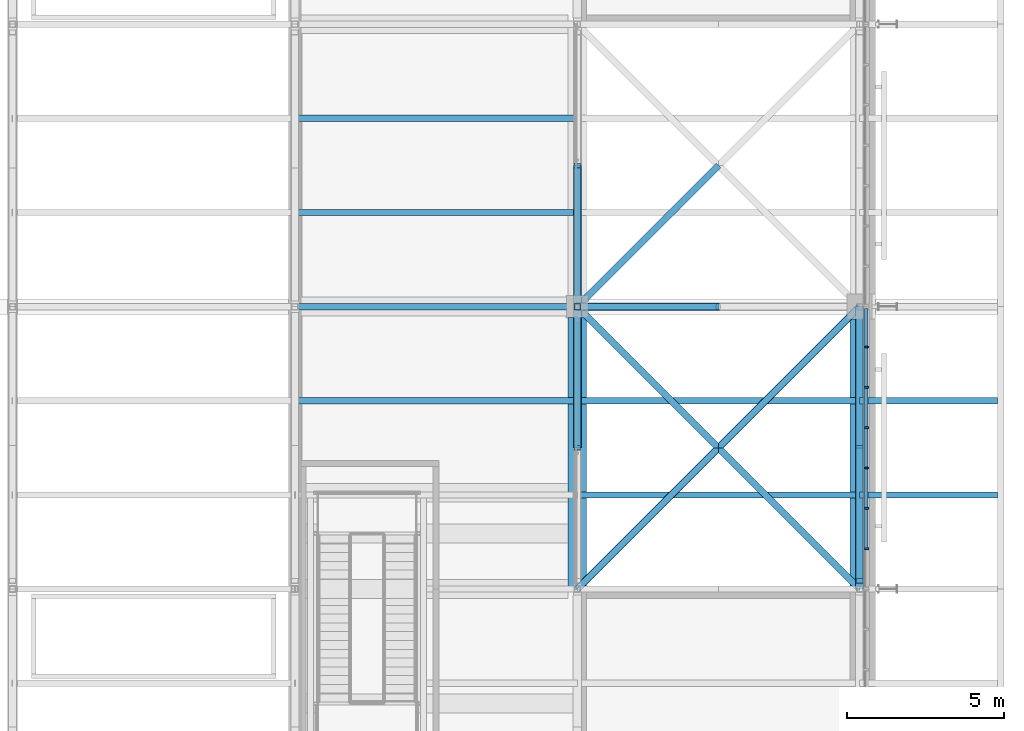
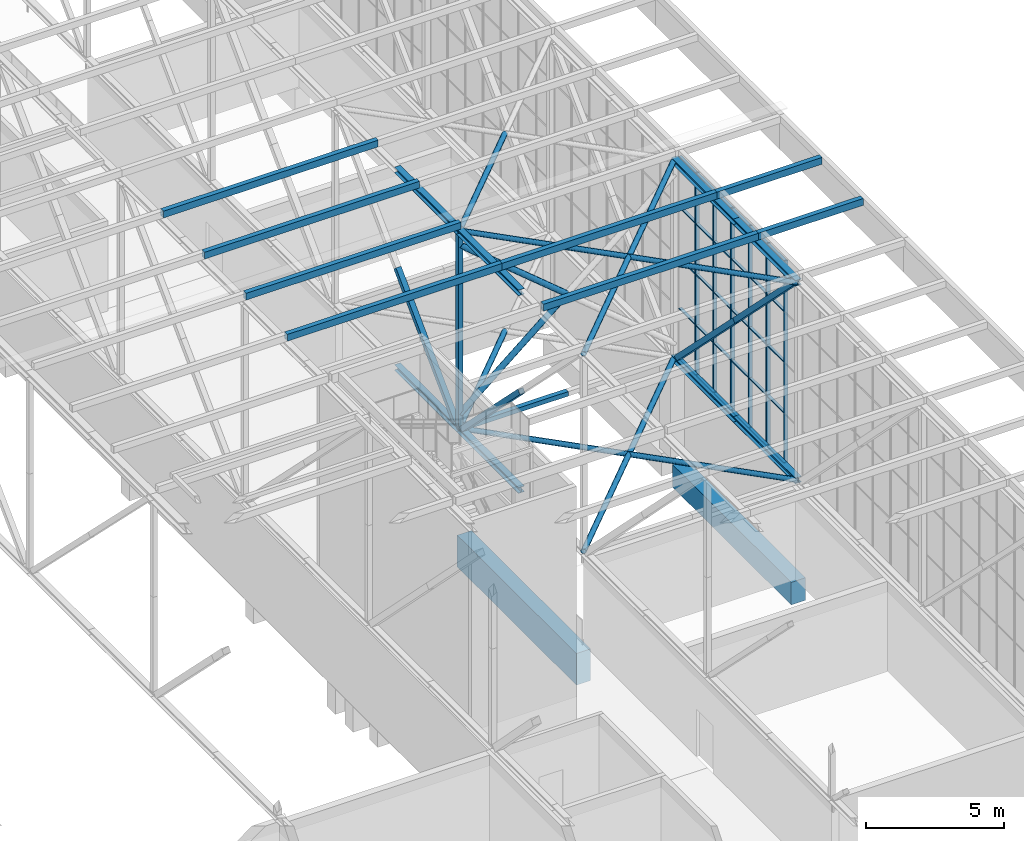
# One storey, part 99 of 646: 71 members, 2 beams, 1 element without a shape of its own.
"""IFC4 building model written with IfcOpenShell, lengths in metres."""

import ifcopenshell
import ifcopenshell.guid

model = None  # the IFC model being written
_history = None  # IfcOwnerHistory: only IFC2X3 demands one
_inside = {}  # id of a spatial element -> (the spatial element, [elements in it])
_under = {}  # id of a project, library or spatial element -> (it, [spatial elements below it])
_declared = {}  # id of a project -> (the project, [libraries it declares])
_typed = {}  # id of a type object -> (the type object, [elements of that type])
_made_of = {}  # id of a material, layer set ... -> (it, [elements and type objects made of it])


def new_model(schema):
    """Start an empty IFC model of exactly this schema.

    Asked for "IFC4X3", IfcOpenShell would pick the latest addendum, in which some entities
    have other attributes; the version numbers below select the first issue.
    IFC2X3 requires an IfcOwnerHistory on every rooted entity: one is made here for all.
    """
    global model, _history
    if schema == "IFC4X3":
        model = ifcopenshell.file(schema_version=(4, 3, 0, 0))
    else:
        model = ifcopenshell.file(schema=schema)
    _inside.clear()
    _under.clear()
    _declared.clear()
    _typed.clear()
    _made_of.clear()
    _history = None
    if model.schema == "IFC2X3":
        org = make("IfcOrganization", Name="unknown")
        user = make(
            "IfcPersonAndOrganization",
            ThePerson=make("IfcPerson", FamilyName="unknown"),
            TheOrganization=org,
        )
        app = make(
            "IfcApplication",
            ApplicationDeveloper=org,
            Version="unknown",
            ApplicationFullName="unknown",
            ApplicationIdentifier="unknown",
        )
        _history = make(
            "IfcOwnerHistory",
            OwningUser=user,
            OwningApplication=app,
            ChangeAction="ADDED",
            CreationDate=0,
        )
    return model


def make(cls, **values):
    """One entity of the class cls with the attributes given. An attribute that is None is left unset."""
    return model.create_entity(
        cls, **{name: value for name, value in values.items() if value is not None}
    )


def rooted(cls, **values):
    """An entity with a GlobalId (a new one), such as an element, a storey or a relation."""
    return make(cls, GlobalId=ifcopenshell.guid.new(), OwnerHistory=_history, **values)


def si_unit(unit_type, name, prefix=None):
    """IfcSIUnit, for example si_unit("LENGTHUNIT", "METRE", prefix="MILLI")."""
    return make("IfcSIUnit", UnitType=unit_type, Prefix=prefix, Name=name)


def assignment(units):
    """IfcUnitAssignment: the units of a project."""
    return None if units is None else make("IfcUnitAssignment", Units=units)


def point(xyz):
    """IfcCartesianPoint."""
    return None if xyz is None else make("IfcCartesianPoint", Coordinates=xyz)


def direction(xyz):
    """IfcDirection."""
    return None if xyz is None else make("IfcDirection", DirectionRatios=xyz)


def frame(location, z_axis=None, x_axis=None):
    """IfcAxis2Placement3D, a coordinate frame: its origin and axes. An axis left out is left unset."""
    return make(
        "IfcAxis2Placement3D",
        Location=point(location),
        Axis=direction(z_axis),
        RefDirection=direction(x_axis),
    )


def frame_2d(location, x_axis=None):
    """IfcAxis2Placement2D, a coordinate frame in the plane: its origin and x axis."""
    return make(
        "IfcAxis2Placement2D", Location=point(location), RefDirection=direction(x_axis)
    )


def origin():
    """The frame at (0, 0, 0) with its axes left unset."""
    return frame((0.0, 0.0, 0.0))


def origin_2d():
    """The frame at (0, 0) in the plane with its x axis left unset."""
    return frame_2d((0.0, 0.0))


def place(relative_to, where):
    """IfcLocalPlacement: puts the frame where relative to a parent placement (None: the world)."""
    return make(
        "IfcLocalPlacement", PlacementRelTo=relative_to, RelativePlacement=where
    )


def context(
    kind, dimensions, precision=None, world=None, true_north=None, identifier=None
):
    """IfcGeometricRepresentationContext, for example the 3D "Model" context."""
    return make(
        "IfcGeometricRepresentationContext",
        ContextIdentifier=identifier,
        ContextType=kind,
        CoordinateSpaceDimension=dimensions,
        Precision=precision,
        WorldCoordinateSystem=world,
        TrueNorth=true_north,
    )


def subcontext(parent, identifier, kind, view, scale=None):
    """IfcGeometricRepresentationSubContext, for example "Body" below "Model"."""
    return make(
        "IfcGeometricRepresentationSubContext",
        ContextIdentifier=identifier,
        ContextType=kind,
        ParentContext=parent,
        TargetScale=scale,
        TargetView=view,
    )


def project(units=None, contexts=None):
    """IfcProject with its units and contexts."""
    return rooted(
        "IfcProject",
        Name="project",
        RepresentationContexts=contexts,
        UnitsInContext=assignment(units),
    )


def spatial(cls, under=None, at=None, **own):
    """A site, building, storey or space (cls), placed at a placement, below another one or the project."""
    s = rooted(cls, ObjectPlacement=at, **own)
    if under is not None:
        _under.setdefault(under.id(), (under, []))[1].append(s)
    return s


def profile(cls, at=None, kind="AREA", **sizes):
    """A parametric profile (cls). Its sizes go by their IFC names, for example OverallWidth=200.0."""
    return make(cls, ProfileType=kind, Position=at, **sizes)


def rectangle(**sizes):
    """IfcRectangleProfileDef."""
    return profile("IfcRectangleProfileDef", **sizes)


def hollow_rectangle(**sizes):
    """IfcRectangleHollowProfileDef."""
    return profile("IfcRectangleHollowProfileDef", **sizes)


def hollow_circle(**sizes):
    """IfcCircleHollowProfileDef."""
    return profile("IfcCircleHollowProfileDef", **sizes)


def i_section(**sizes):
    """IfcIShapeProfileDef."""
    return profile("IfcIShapeProfileDef", **sizes)


def extrude(swept, where, along, depth):
    """IfcExtrudedAreaSolid: the profile swept, set in the frame where, extruded along a direction by depth."""
    return make(
        "IfcExtrudedAreaSolid",
        SweptArea=swept,
        Position=where,
        ExtrudedDirection=direction(along),
        Depth=depth,
    )


def shape(context_of_items, identifier, shape_type, items):
    """IfcShapeRepresentation: the items that make up one representation, for example the "Body"."""
    return make(
        "IfcShapeRepresentation",
        ContextOfItems=context_of_items,
        RepresentationIdentifier=identifier,
        RepresentationType=shape_type,
        Items=items,
    )


def material(Name=None, Category=None):
    """IfcMaterial."""
    return make("IfcMaterial", Name=Name, Category=Category)


def material_profile(
    of_material, cross_section, Name=None, Category=None, Priority=None
):
    """IfcMaterialProfile: a cross section and its material."""
    return make(
        "IfcMaterialProfile",
        Name=Name,
        Material=of_material,
        Profile=cross_section,
        Priority=Priority,
        Category=Category,
    )


def profile_set(profiles, Name=None, composite=None):
    """IfcMaterialProfileSet."""
    return make(
        "IfcMaterialProfileSet",
        Name=Name,
        MaterialProfiles=profiles,
        CompositeProfile=composite,
    )


def made_of(thing, what):
    """Note that an element or type object is made of a material, layer set ...; save() writes the relation."""
    if what is not None:
        _made_of.setdefault(what.id(), (what, []))[1].append(thing)
    return thing


def type_object(cls, material=None, **own):
    """A type object (cls), such as IfcWallType, which elements share."""
    return made_of(rooted(cls, **own), material)


def element(
    cls,
    number,
    at=None,
    inside=None,
    cuts=None,
    type_object=None,
    material=None,
    context=None,
    identifier="Body",
    shape_type=None,
    held_by="IfcProductDefinitionShape",
    body=None,
    shapes=None,
    **own,
):
    """One element of the class cls, such as IfcWall. Its Tag is "e" and its number.

    at: its placement. inside: the storey or other place that contains it. cuts: it is an
    opening in that element (IfcRelVoidsElement). A single representation is given by context,
    identifier, shape_type and body (its items); several are given by shapes. held_by: the class
    of the entity that holds the representations. save() writes the other relations.
    """
    e = rooted(cls, Tag="e%d" % number, ObjectPlacement=at, **own)
    if body is not None:
        shapes = [shape(context, identifier, shape_type, body)]
    if shapes is not None:
        e.Representation = make(held_by, Representations=shapes)
    if inside is not None:
        _inside.setdefault(inside.id(), (inside, []))[1].append(e)
    if cuts is not None:
        rooted(
            "IfcRelVoidsElement", RelatingBuildingElement=cuts, RelatedOpeningElement=e
        )
    if type_object is not None:
        _typed.setdefault(type_object.id(), (type_object, []))[1].append(e)
    return made_of(e, material)


def aggregate(whole, parts):
    """IfcRelAggregates: a whole, such as a stair, and the parts it consists of."""
    return rooted("IfcRelAggregates", RelatingObject=whole, RelatedObjects=parts)


def save(model, path):
    """Write the relations noted so far, then the file.

    IfcRelAggregates (storeys below a building ...), IfcRelContainedInSpatialStructure (elements
    in a storey), IfcRelDefinesByType, IfcRelAssociatesMaterial and IfcRelDeclares: one each for
    every whole, place, type object, material and project.
    """
    for whole, parts in _under.values():
        aggregate(whole, parts)
    for where, things in _inside.values():
        rooted(
            "IfcRelContainedInSpatialStructure",
            RelatedElements=things,
            RelatingStructure=where,
        )
    for kind, things in _typed.values():
        rooted("IfcRelDefinesByType", RelatedObjects=things, RelatingType=kind)
    for what, things in _made_of.values():
        rooted("IfcRelAssociatesMaterial", RelatedObjects=things, RelatingMaterial=what)
    for by, libraries in _declared.values():
        rooted("IfcRelDeclares", RelatingContext=by, RelatedDefinitions=libraries)
    model.write(path)


model = new_model("IFC4")

# Units and contexts
model_context = context("Model", 3, precision=1e-05, world=origin(), true_north=direction((0.0, 1.0)))
body_context = subcontext(model_context, "Body", "Model", "MODEL_VIEW")
ifc_project = project(units=[si_unit("LENGTHUNIT", "METRE"), si_unit("AREAUNIT", "SQUARE_METRE"), si_unit("VOLUMEUNIT", "CUBIC_METRE"), si_unit("PLANEANGLEUNIT", "RADIAN"), si_unit("MASSUNIT", "GRAM", prefix="KILO")], contexts=[model_context])

# Site, building, storey
site_placement = place(None, origin())
site = spatial("IfcSite", under=ifc_project, at=site_placement, CompositionType="ELEMENT")
building_placement = place(site_placement, origin())
building = spatial("IfcBuilding", under=site, at=building_placement, Name="Silverbay Arena", CompositionType="ELEMENT")
storey_placement = place(building_placement, frame((0.0, 0.0, 33.5)))
storey = spatial("IfcBuildingStorey", under=building, at=storey_placement, Name="L05", CompositionType="ELEMENT", Elevation=33.5)

# Member
ifc_material_1 = material(Name="Steel S355", Category="steel")
ifc_material_profile_1 = material_profile(ifc_material_1, hollow_rectangle(XDim=0.199951171875, YDim=0.199951171875, WallThickness=0.008056640625, at=origin_2d()), Name="SHS 200x200x8")
ifc_profile_set_1 = profile_set([ifc_material_profile_1], Name="Steel S355")
member_type_1 = type_object("IfcMemberType", Name="Bracing strut SHS 200x200x8", PredefinedType="STRUT", material=ifc_profile_set_1)
member_1_placement = place(storey_placement, frame((198.0, 81.0, 4.126953125), z_axis=(1.0, 0.0, 0.0), x_axis=(0.0, 1.0, 0.0)))
element("IfcMember", 1, at=member_1_placement, inside=storey, type_object=member_type_1, Name="ROOF BRACING strut 23-24 line 09a", PredefinedType="STRUT", context=body_context, shape_type="SweptSolid", body=[
    extrude(hollow_rectangle(XDim=0.199951171875, YDim=0.199951171875, WallThickness=0.008056640625, at=origin_2d()), origin(), (0.0, 0.0, 1.0), 4.5),
])

# Curtain wall, members
ifc_material_2 = material(Name="Aluminium framed glazing", Category="aluminium")
curtain_wall_type = type_object("IfcCurtainWallType", Name="Curtain wall clerestory 9000 x 9000", PredefinedType="NOTDEFINED", material=ifc_material_2)
curtain_wall_placement = place(storey_placement, origin())
curtain_wall = element("IfcCurtainWall", 2, at=curtain_wall_placement, inside=storey, type_object=curtain_wall_type, Name="ROOF GABLE CLERESTORY CURTAIN WALL east bay 08", PredefinedType="NOTDEFINED")
ifc_material_3 = material(Name="Aluminium", Category="aluminium")
ifc_material_profile_2 = material_profile(ifc_material_3, rectangle(XDim=0.159912109375, YDim=0.06005859375, at=origin_2d()), Name="Mullion 60 x 160")
ifc_profile_set_2 = profile_set([ifc_material_profile_2], Name="Aluminium")
member_type_2 = type_object("IfcMemberType", Name="Mullion 60 x 160", PredefinedType="MULLION", material=ifc_profile_set_2)
member_2_placement = place(storey_placement, frame((207.2099609375, 73.28564453125, 4.0), z_axis=(0.0, 0.0, 1.0), x_axis=(-1.0, 0.0, 0.0)))
member_2 = element("IfcMember", 3, at=member_2_placement, type_object=member_type_2, Name="CW60 mullion 2", PredefinedType="MULLION", context=body_context, shape_type="SweptSolid", body=[
    extrude(rectangle(XDim=0.159912109375, YDim=0.06005859375, at=origin_2d()), origin(), (0.0, 0.0, 1.0), 9.0),
])
member_3_placement = place(storey_placement, frame((207.2099609375, 74.571533203125, 4.0), z_axis=(0.0, 0.0, 1.0), x_axis=(-1.0, 0.0, 0.0)))
member_3 = element("IfcMember", 4, at=member_3_placement, type_object=member_type_2, Name="CW60 mullion 3", PredefinedType="MULLION", context=body_context, shape_type="SweptSolid", body=[
    extrude(rectangle(XDim=0.159912109375, YDim=0.06005859375, at=origin_2d()), origin(), (0.0, 0.0, 1.0), 9.0),
])
member_4_placement = place(storey_placement, frame((207.2099609375, 75.857177734375, 4.0), z_axis=(0.0, 0.0, 1.0), x_axis=(-1.0, 0.0, 0.0)))
member_4 = element("IfcMember", 5, at=member_4_placement, type_object=member_type_2, Name="CW60 mullion 4", PredefinedType="MULLION", context=body_context, shape_type="SweptSolid", body=[
    extrude(rectangle(XDim=0.159912109375, YDim=0.06005859375, at=origin_2d()), origin(), (0.0, 0.0, 1.0), 9.0),
])
member_5_placement = place(storey_placement, frame((207.2099609375, 77.142822265625, 4.0), z_axis=(0.0, 0.0, 1.0), x_axis=(-1.0, 0.0, 0.0)))
member_5 = element("IfcMember", 6, at=member_5_placement, type_object=member_type_2, Name="CW60 mullion 5", PredefinedType="MULLION", context=body_context, shape_type="SweptSolid", body=[
    extrude(rectangle(XDim=0.159912109375, YDim=0.06005859375, at=origin_2d()), origin(), (0.0, 0.0, 1.0), 9.0),
])
member_6_placement = place(storey_placement, frame((207.2099609375, 78.428466796875, 4.0), z_axis=(0.0, 0.0, 1.0), x_axis=(-1.0, 0.0, 0.0)))
member_6 = element("IfcMember", 7, at=member_6_placement, type_object=member_type_2, Name="CW60 mullion 6", PredefinedType="MULLION", context=body_context, shape_type="SweptSolid", body=[
    extrude(rectangle(XDim=0.159912109375, YDim=0.06005859375, at=origin_2d()), origin(), (0.0, 0.0, 1.0), 9.0),
])
member_7_placement = place(storey_placement, frame((207.2099609375, 79.71435546875, 4.0), z_axis=(0.0, 0.0, 1.0), x_axis=(-1.0, 0.0, 0.0)))
member_7 = element("IfcMember", 8, at=member_7_placement, type_object=member_type_2, Name="CW60 mullion 7", PredefinedType="MULLION", context=body_context, shape_type="SweptSolid", body=[
    extrude(rectangle(XDim=0.159912109375, YDim=0.06005859375, at=origin_2d()), origin(), (0.0, 0.0, 1.0), 9.0),
])

# Members
ifc_material_4 = material(Name="Steel S355", Category="steel")
ifc_material_profile_3 = material_profile(ifc_material_4, hollow_circle(Radius=0.109619140625, WallThickness=0.00634765625, at=origin_2d()), Name="CHS 219.1x6.3")
ifc_profile_set_3 = profile_set([ifc_material_profile_3], Name="Steel S355")
member_type_3 = type_object("IfcMemberType", Name="Plan bracing CHS 219.1x6.3", PredefinedType="BRACE", material=ifc_profile_set_3)
for number, where, z_axis, x_axis, name in (
    (9, (198.0, 72.0, 12.873046875), (0.707106781187, 0.707106781187, 0.0), (-0.707106781187, 0.707106781187, 0.0), "ROOF BRACING top 23-24 panel 08 Aa"),
    (10, (202.5, 76.5, 12.873046875), (0.707106781187, 0.707106781187, 0.0), (-0.707106781187, 0.707106781187, 0.0), "ROOF BRACING top 23-24 panel 08 Ab"),
    (11, (198.0, 81.0, 12.873046875), (0.707106781187, -0.707106781187, 0.0), (0.707106781187, 0.707106781187, 0.0), "ROOF BRACING top 23-24 panel 08 Ba"),
    (12, (202.5, 76.5, 12.873046875), (0.707106781187, -0.707106781187, 0.0), (0.707106781187, 0.707106781187, 0.0), "ROOF BRACING top 23-24 panel 08 Bb"),
    (13, (198.0, 81.0, 12.873046875), (0.707106781187, 0.707106781187, 0.0), (-0.707106781187, 0.707106781187, 0.0), "ROOF BRACING top 23-24 panel 09 Aa"),
    (14, (198.0, 72.0, 4.126953125), (0.707106781187, 0.707106781187, 0.0), (-0.707106781187, 0.707106781187, 0.0), "ROOF BRACING bottom 23-24 panel 08 Aa"),
    (15, (202.5, 76.5, 4.126953125), (0.707106781187, 0.707106781187, 0.0), (-0.707106781187, 0.707106781187, 0.0), "ROOF BRACING bottom 23-24 panel 08 Ab"),
    (16, (198.0, 81.0, 4.126953125), (0.707106781187, -0.707106781187, 0.0), (0.707106781187, 0.707106781187, 0.0), "ROOF BRACING bottom 23-24 panel 08 Ba"),
    (17, (202.5, 76.5, 4.126953125), (0.707106781187, -0.707106781187, 0.0), (0.707106781187, 0.707106781187, 0.0), "ROOF BRACING bottom 23-24 panel 08 Bb"),
    (18, (198.0, 81.0, 4.126953125), (0.707106781187, 0.707106781187, 0.0), (-0.707106781187, 0.707106781187, 0.0), "ROOF BRACING bottom 23-24 panel 09 Aa"),
):
    element("IfcMember", number, at=place(storey_placement, frame(where, z_axis=z_axis, x_axis=x_axis)), inside=storey, type_object=member_type_3, Name=name, PredefinedType="BRACE", context=body_context, shape_type="SweptSolid", body=[
        extrude(hollow_circle(Radius=0.109619140625, WallThickness=0.00634765625, at=origin_2d()), origin(), (0.0, 0.0, 1.0), 6.364013671875),
    ])
ifc_material_5 = material(Name="Steel S355", Category="steel")
ifc_material_profile_4 = material_profile(ifc_material_5, hollow_rectangle(XDim=0.199951171875, YDim=0.300048828125, WallThickness=0.00634765625, at=origin_2d()), Name="RHS 300x200x6.3")
ifc_profile_set_4 = profile_set([ifc_material_profile_4], Name="Steel S355")
member_type_4 = type_object("IfcMemberType", Name="Purlin RHS 300x200x6.3", PredefinedType="PURLIN", material=ifc_profile_set_4)
for number, where, z_axis, x_axis, name in (
    (19, (189.0, 78.0, 13.14990234375), (1.0, 0.0, 0.0), (0.0, 1.0, 0.0), "ROOF PURLIN 22-23 line 24"),
    (20, (189.0, 81.0, 13.14990234375), (1.0, 0.0, 0.0), (0.0, 1.0, 0.0), "ROOF PURLIN 22-23 line 25"),
    (21, (189.0, 84.0, 13.14990234375), (1.0, 0.0, 0.0), (0.0, 1.0, 0.0), "ROOF PURLIN 22-23 line 26"),
    (22, (189.0, 87.0, 13.14990234375), (1.0, 0.0, 0.0), (0.0, 1.0, 0.0), "ROOF PURLIN 22-23 line 27"),
):
    element("IfcMember", number, at=place(storey_placement, frame(where, z_axis=z_axis, x_axis=x_axis)), inside=storey, type_object=member_type_4, Name=name, PredefinedType="PURLIN", context=body_context, shape_type="SweptSolid", body=[
        extrude(hollow_rectangle(XDim=0.199951171875, YDim=0.300048828125, WallThickness=0.00634765625, at=origin_2d()), origin(), (0.0, 0.0, 1.0), 9.0),
    ])
ifc_material_6 = material(Name="Steel S355", Category="steel")
ifc_material_profile_5 = material_profile(ifc_material_6, hollow_rectangle(XDim=0.199951171875, YDim=0.300048828125, WallThickness=0.008056640625, at=origin_2d()), Name="RHS 300x200x8")
ifc_profile_set_5 = profile_set([ifc_material_profile_5], Name="Steel S355")
member_type_5 = type_object("IfcMemberType", Name="Purlin RHS 300x200x8", PredefinedType="PURLIN", material=ifc_profile_set_5)
for number, where, z_axis, x_axis, name in (
    (23, (198.0, 75.0, 13.14990234375), (1.0, 0.0, 0.0), (0.0, 1.0, 0.0), "ROOF PURLIN 23-24 line 23"),
    (24, (198.0, 78.0, 13.14990234375), (1.0, 0.0, 0.0), (0.0, 1.0, 0.0), "ROOF PURLIN 23-24 line 24"),
):
    element("IfcMember", number, at=place(storey_placement, frame(where, z_axis=z_axis, x_axis=x_axis)), inside=storey, type_object=member_type_5, Name=name, PredefinedType="PURLIN", context=body_context, shape_type="SweptSolid", body=[
        extrude(hollow_rectangle(XDim=0.199951171875, YDim=0.300048828125, WallThickness=0.008056640625, at=origin_2d()), origin(), (0.0, 0.0, 1.0), 9.0),
    ])
for number, where, z_axis, x_axis, name in (
    (25, (211.39990234375, 75.0, 13.14990234375), (-1.0, 0.0, 0.0), (0.0, -1.0, 0.0), "ROOF PURLIN east eave line 23"),
    (26, (211.39990234375, 78.0, 13.14990234375), (-1.0, 0.0, 0.0), (0.0, -1.0, 0.0), "ROOF PURLIN east eave line 24"),
):
    element("IfcMember", number, at=place(storey_placement, frame(where, z_axis=z_axis, x_axis=x_axis)), inside=storey, type_object=member_type_5, Name=name, PredefinedType="PURLIN", context=body_context, shape_type="SweptSolid", body=[
        extrude(hollow_rectangle(XDim=0.199951171875, YDim=0.300048828125, WallThickness=0.008056640625, at=origin_2d()), origin(), (0.0, 0.0, 1.0), 4.39990234375),
    ])

# Beams
ifc_material_7 = material(Name="Concrete Grade C45", Category="concrete")
ifc_material_profile_6 = material_profile(ifc_material_7, rectangle(XDim=0.60009765625, YDim=1.0, at=origin_2d()), Name="RC 600x1000")
ifc_profile_set_6 = profile_set([ifc_material_profile_6], Name="Concrete Grade C45")
beam_type_1 = type_object("IfcBeamType", Name="RC beam 600x1000", PredefinedType="BEAM", material=ifc_profile_set_6)
beam_1_placement = place(storey_placement, frame((207.0, 72.0, -0.800048828125), z_axis=(0.0, 1.0, 0.0), x_axis=(-1.0, 0.0, 0.0)))
element("IfcBeam", 27, at=beam_1_placement, inside=storey, type_object=beam_type_1, Name="Floor beam L05 150", PredefinedType="BEAM", context=body_context, shape_type="SweptSolid", body=[
    extrude(rectangle(XDim=0.60009765625, YDim=1.0, at=origin_2d()), origin(), (0.0, 0.0, 1.0), 8.60009765625),
])
ifc_material_8 = material(Name="Concrete Grade C45", Category="concrete")
ifc_material_profile_7 = material_profile(ifc_material_8, rectangle(XDim=0.60009765625, YDim=1.39990234375, at=origin_2d()), Name="RC 600x1400")
ifc_profile_set_7 = profile_set([ifc_material_profile_7], Name="Concrete Grade C45")
beam_type_2 = type_object("IfcBeamType", Name="RC beam 600x1400", PredefinedType="BEAM", material=ifc_profile_set_7)
beam_2_placement = place(storey_placement, frame((198.0, 72.0, -1.0), z_axis=(0.0, 1.0, 0.0), x_axis=(-1.0, 0.0, 0.0)))
element("IfcBeam", 28, at=beam_2_placement, inside=storey, type_object=beam_type_2, Name="Floor beam L05 142", PredefinedType="BEAM", context=body_context, shape_type="SweptSolid", body=[
    extrude(rectangle(XDim=0.60009765625, YDim=1.39990234375, at=origin_2d()), origin(), (0.0, 0.0, 1.0), 8.64990234375),
])

# Members
ifc_material_9 = material(Name="Steel S355", Category="steel")
ifc_material_profile_8 = material_profile(ifc_material_9, i_section(OverallWidth=0.254638671875, OverallDepth=0.254150390625, WebThickness=0.008544921875, FlangeThickness=0.01416015625, at=origin_2d()), Name="UC 254x254x73")
ifc_profile_set_8 = profile_set([ifc_material_profile_8], Name="Steel S355")
member_type_6 = type_object("IfcMemberType", Name="Short-span bottom chord UC 254x254x73", PredefinedType="CHORD", material=ifc_profile_set_8)
for number, where, z_axis, x_axis, name in (
    (29, (198.0, 76.5, 4.126953125), (0.0, 1.0, 0.0), (-1.0, 0.0, 0.0), "ROOF TRUSS 23 bottom chord 08b"),
    (30, (198.0, 81.0, 4.126953125), (0.0, 1.0, 0.0), (-1.0, 0.0, 0.0), "ROOF TRUSS 23 bottom chord 09a"),
    (31, (207.0, 72.0, 4.126953125), (0.0, 1.0, 0.0), (-1.0, 0.0, 0.0), "ROOF TRUSS 24 bottom chord 08a"),
    (32, (207.0, 76.5, 4.126953125), (0.0, 1.0, 0.0), (-1.0, 0.0, 0.0), "ROOF TRUSS 24 bottom chord 08b"),
):
    element("IfcMember", number, at=place(storey_placement, frame(where, z_axis=z_axis, x_axis=x_axis)), inside=storey, type_object=member_type_6, Name=name, PredefinedType="CHORD", context=body_context, shape_type="SweptSolid", body=[
        extrude(i_section(OverallWidth=0.254638671875, OverallDepth=0.254150390625, WebThickness=0.008544921875, FlangeThickness=0.01416015625, at=origin_2d()), origin(), (0.0, 0.0, 1.0), 4.5),
    ])
ifc_material_10 = material(Name="Steel S355", Category="steel")
ifc_material_profile_9 = material_profile(ifc_material_10, i_section(OverallWidth=0.254638671875, OverallDepth=0.254150390625, WebThickness=0.008544921875, FlangeThickness=0.01416015625, at=origin_2d()), Name="UC 254x254x73")
ifc_profile_set_9 = profile_set([ifc_material_profile_9], Name="Steel S355")
member_type_7 = type_object("IfcMemberType", Name="Short-span top chord UC 254x254x73", PredefinedType="CHORD", material=ifc_profile_set_9)
for number, where, z_axis, x_axis, name in (
    (33, (198.0, 76.5, 12.873046875), (0.0, 1.0, 0.0), (-1.0, 0.0, 0.0), "ROOF TRUSS 23 top chord 08b"),
    (34, (198.0, 81.0, 12.873046875), (0.0, 1.0, 0.0), (-1.0, 0.0, 0.0), "ROOF TRUSS 23 top chord 09a"),
    (35, (207.0, 72.0, 12.873046875), (0.0, 1.0, 0.0), (-1.0, 0.0, 0.0), "ROOF TRUSS 24 top chord 08a"),
    (36, (207.0, 76.5, 12.873046875), (0.0, 1.0, 0.0), (-1.0, 0.0, 0.0), "ROOF TRUSS 24 top chord 08b"),
):
    element("IfcMember", number, at=place(storey_placement, frame(where, z_axis=z_axis, x_axis=x_axis)), inside=storey, type_object=member_type_7, Name=name, PredefinedType="CHORD", context=body_context, shape_type="SweptSolid", body=[
        extrude(i_section(OverallWidth=0.254638671875, OverallDepth=0.254150390625, WebThickness=0.008544921875, FlangeThickness=0.01416015625, at=origin_2d()), origin(), (0.0, 0.0, 1.0), 4.5),
    ])
ifc_material_11 = material(Name="Steel S355", Category="steel")
ifc_material_profile_10 = material_profile(ifc_material_11, hollow_rectangle(XDim=0.219970703125, YDim=0.219970703125, WallThickness=0.008056640625, at=origin_2d()), Name="SHS 220x220x8")
ifc_profile_set_10 = profile_set([ifc_material_profile_10], Name="Steel S355")
member_type_8 = type_object("IfcMemberType", Name="Short-span truss diagonal SHS 220x220x8", PredefinedType="BRACE", material=ifc_profile_set_10)
for number, where, z_axis, x_axis, name in (
    (37, (198.0, 76.5, 8.5), (0.0, 0.706597990941, -0.707615205601), (-1.0, 0.0, 0.0), "ROOF TRUSS 23 diagonal 08b"),
    (38, (198.0, 85.5, 8.5), (0.0, -0.706597990941, -0.707615205601), (1.0, 0.0, 0.0), "ROOF TRUSS 23 diagonal 09b"),
    (39, (207.0, 72.26025390625, 12.745849609375), (0.0, 0.706597990941, -0.707615205601), (-1.0, 0.0, 0.0), "ROOF TRUSS 24 diagonal 08a"),
    (40, (207.0, 76.5, 8.5), (0.0, 0.706597990941, -0.707615205601), (-1.0, 0.0, 0.0), "ROOF TRUSS 24 diagonal 08b"),
):
    element("IfcMember", number, at=place(storey_placement, frame(where, z_axis=z_axis, x_axis=x_axis)), inside=storey, type_object=member_type_8, Name=name, PredefinedType="BRACE", context=body_context, shape_type="SweptSolid", body=[
        extrude(hollow_rectangle(XDim=0.219970703125, YDim=0.219970703125, WallThickness=0.008056640625, at=origin_2d()), origin(), (0.0, 0.0, 1.0), 6.000244140625),
    ])
ifc_material_12 = material(Name="Steel S355", Category="steel")
ifc_material_profile_11 = material_profile(ifc_material_12, hollow_rectangle(XDim=0.199951171875, YDim=0.199951171875, WallThickness=0.008056640625, at=origin_2d()), Name="SHS 200x200x8")
ifc_profile_set_11 = profile_set([ifc_material_profile_11], Name="Steel S355")
member_type_9 = type_object("IfcMemberType", Name="Short-span truss vertical SHS 200x200x8", PredefinedType="STRUT", material=ifc_profile_set_11)
for number, where, z_axis, x_axis, name in (
    (41, (198.0, 81.0, 4.254150390625), (0.0, 0.0, 1.0), (1.0, 0.0, 0.0), "ROOF TRUSS 23 vertical 09a"),
    (42, (198.0, 81.0, 8.5), (0.0, 0.0, 1.0), (1.0, 0.0, 0.0), "ROOF TRUSS 23 vertical 09b"),
):
    element("IfcMember", number, at=place(storey_placement, frame(where, z_axis=z_axis, x_axis=x_axis)), inside=storey, type_object=member_type_9, Name=name, PredefinedType="STRUT", context=body_context, shape_type="SweptSolid", body=[
        extrude(hollow_rectangle(XDim=0.199951171875, YDim=0.199951171875, WallThickness=0.008056640625, at=origin_2d()), origin(), (0.0, 0.0, 1.0), 4.245849609375),
    ])

# Member
ifc_material_13 = material(Name="Aluminium", Category="aluminium")
ifc_material_profile_12 = material_profile(ifc_material_13, rectangle(XDim=0.1201171875, YDim=0.050048828125, at=origin_2d()), Name="Transom 50 x 120")
ifc_profile_set_12 = profile_set([ifc_material_profile_12], Name="Aluminium")
member_type_10 = type_object("IfcMemberType", Name="Transom 50 x 120", PredefinedType="USERDEFINED", material=ifc_profile_set_12)
member_8_placement = place(storey_placement, frame((207.2099609375, 73.315673828125, 4.02490234375), z_axis=(0.0, 1.0, 0.0), x_axis=(-1.0, 0.0, 0.0)))
member_8 = element("IfcMember", 43, at=member_8_placement, type_object=member_type_10, Name="CW60 transom 2.1", ObjectType="TRANSOM", PredefinedType="USERDEFINED", context=body_context, shape_type="SweptSolid", body=[
    extrude(rectangle(XDim=0.1201171875, YDim=0.050048828125, at=origin_2d()), origin(), (0.0, 0.0, 1.0), 1.225830078125),
])

member_9_placement = place(storey_placement, frame((207.2099609375, 73.315673828125, 6.25), z_axis=(0.0, 1.0, 0.0), x_axis=(-1.0, 0.0, 0.0)))
member_9 = element("IfcMember", 44, at=member_9_placement, type_object=member_type_10, Name="CW60 transom 2.2", ObjectType="TRANSOM", PredefinedType="USERDEFINED", context=body_context, shape_type="SweptSolid", body=[
    extrude(rectangle(XDim=0.1201171875, YDim=0.050048828125, at=origin_2d()), origin(), (0.0, 0.0, 1.0), 1.225830078125),
])

member_10_placement = place(storey_placement, frame((207.2099609375, 73.315673828125, 8.5), z_axis=(0.0, 1.0, 0.0), x_axis=(-1.0, 0.0, 0.0)))
member_10 = element("IfcMember", 45, at=member_10_placement, type_object=member_type_10, Name="CW60 transom 2.3", ObjectType="TRANSOM", PredefinedType="USERDEFINED", context=body_context, shape_type="SweptSolid", body=[
    extrude(rectangle(XDim=0.1201171875, YDim=0.050048828125, at=origin_2d()), origin(), (0.0, 0.0, 1.0), 1.225830078125),
])

member_11_placement = place(storey_placement, frame((207.2099609375, 73.315673828125, 10.75), z_axis=(0.0, 1.0, 0.0), x_axis=(-1.0, 0.0, 0.0)))
member_11 = element("IfcMember", 46, at=member_11_placement, type_object=member_type_10, Name="CW60 transom 2.4", ObjectType="TRANSOM", PredefinedType="USERDEFINED", context=body_context, shape_type="SweptSolid", body=[
    extrude(rectangle(XDim=0.1201171875, YDim=0.050048828125, at=origin_2d()), origin(), (0.0, 0.0, 1.0), 1.225830078125),
])

member_12_placement = place(storey_placement, frame((207.2099609375, 73.315673828125, 12.97509765625), z_axis=(0.0, 1.0, 0.0), x_axis=(-1.0, 0.0, 0.0)))
member_12 = element("IfcMember", 47, at=member_12_placement, type_object=member_type_10, Name="CW60 transom 2.5", ObjectType="TRANSOM", PredefinedType="USERDEFINED", context=body_context, shape_type="SweptSolid", body=[
    extrude(rectangle(XDim=0.1201171875, YDim=0.050048828125, at=origin_2d()), origin(), (0.0, 0.0, 1.0), 1.225830078125),
])

member_13_placement = place(storey_placement, frame((207.2099609375, 74.601318359375, 4.02490234375), z_axis=(0.0, 1.0, 0.0), x_axis=(-1.0, 0.0, 0.0)))
member_13 = element("IfcMember", 48, at=member_13_placement, type_object=member_type_10, Name="CW60 transom 3.1", ObjectType="TRANSOM", PredefinedType="USERDEFINED", context=body_context, shape_type="SweptSolid", body=[
    extrude(rectangle(XDim=0.1201171875, YDim=0.050048828125, at=origin_2d()), origin(), (0.0, 0.0, 1.0), 1.225830078125),
])

member_14_placement = place(storey_placement, frame((207.2099609375, 74.601318359375, 6.25), z_axis=(0.0, 1.0, 0.0), x_axis=(-1.0, 0.0, 0.0)))
member_14 = element("IfcMember", 49, at=member_14_placement, type_object=member_type_10, Name="CW60 transom 3.2", ObjectType="TRANSOM", PredefinedType="USERDEFINED", context=body_context, shape_type="SweptSolid", body=[
    extrude(rectangle(XDim=0.1201171875, YDim=0.050048828125, at=origin_2d()), origin(), (0.0, 0.0, 1.0), 1.225830078125),
])

member_15_placement = place(storey_placement, frame((207.2099609375, 74.601318359375, 8.5), z_axis=(0.0, 1.0, 0.0), x_axis=(-1.0, 0.0, 0.0)))
member_15 = element("IfcMember", 50, at=member_15_placement, type_object=member_type_10, Name="CW60 transom 3.3", ObjectType="TRANSOM", PredefinedType="USERDEFINED", context=body_context, shape_type="SweptSolid", body=[
    extrude(rectangle(XDim=0.1201171875, YDim=0.050048828125, at=origin_2d()), origin(), (0.0, 0.0, 1.0), 1.225830078125),
])

member_16_placement = place(storey_placement, frame((207.2099609375, 74.601318359375, 10.75), z_axis=(0.0, 1.0, 0.0), x_axis=(-1.0, 0.0, 0.0)))
member_16 = element("IfcMember", 51, at=member_16_placement, type_object=member_type_10, Name="CW60 transom 3.4", ObjectType="TRANSOM", PredefinedType="USERDEFINED", context=body_context, shape_type="SweptSolid", body=[
    extrude(rectangle(XDim=0.1201171875, YDim=0.050048828125, at=origin_2d()), origin(), (0.0, 0.0, 1.0), 1.225830078125),
])

member_17_placement = place(storey_placement, frame((207.2099609375, 74.601318359375, 12.97509765625), z_axis=(0.0, 1.0, 0.0), x_axis=(-1.0, 0.0, 0.0)))
member_17 = element("IfcMember", 52, at=member_17_placement, type_object=member_type_10, Name="CW60 transom 3.5", ObjectType="TRANSOM", PredefinedType="USERDEFINED", context=body_context, shape_type="SweptSolid", body=[
    extrude(rectangle(XDim=0.1201171875, YDim=0.050048828125, at=origin_2d()), origin(), (0.0, 0.0, 1.0), 1.225830078125),
])

member_18_placement = place(storey_placement, frame((207.2099609375, 75.88720703125, 4.02490234375), z_axis=(0.0, 1.0, 0.0), x_axis=(-1.0, 0.0, 0.0)))
member_18 = element("IfcMember", 53, at=member_18_placement, type_object=member_type_10, Name="CW60 transom 4.1", ObjectType="TRANSOM", PredefinedType="USERDEFINED", context=body_context, shape_type="SweptSolid", body=[
    extrude(rectangle(XDim=0.1201171875, YDim=0.050048828125, at=origin_2d()), origin(), (0.0, 0.0, 1.0), 1.2255859375),
])

member_19_placement = place(storey_placement, frame((207.2099609375, 75.88720703125, 6.25), z_axis=(0.0, 1.0, 0.0), x_axis=(-1.0, 0.0, 0.0)))
member_19 = element("IfcMember", 54, at=member_19_placement, type_object=member_type_10, Name="CW60 transom 4.2", ObjectType="TRANSOM", PredefinedType="USERDEFINED", context=body_context, shape_type="SweptSolid", body=[
    extrude(rectangle(XDim=0.1201171875, YDim=0.050048828125, at=origin_2d()), origin(), (0.0, 0.0, 1.0), 1.2255859375),
])

member_20_placement = place(storey_placement, frame((207.2099609375, 75.88720703125, 8.5), z_axis=(0.0, 1.0, 0.0), x_axis=(-1.0, 0.0, 0.0)))
member_20 = element("IfcMember", 55, at=member_20_placement, type_object=member_type_10, Name="CW60 transom 4.3", ObjectType="TRANSOM", PredefinedType="USERDEFINED", context=body_context, shape_type="SweptSolid", body=[
    extrude(rectangle(XDim=0.1201171875, YDim=0.050048828125, at=origin_2d()), origin(), (0.0, 0.0, 1.0), 1.2255859375),
])

member_21_placement = place(storey_placement, frame((207.2099609375, 75.88720703125, 10.75), z_axis=(0.0, 1.0, 0.0), x_axis=(-1.0, 0.0, 0.0)))
member_21 = element("IfcMember", 56, at=member_21_placement, type_object=member_type_10, Name="CW60 transom 4.4", ObjectType="TRANSOM", PredefinedType="USERDEFINED", context=body_context, shape_type="SweptSolid", body=[
    extrude(rectangle(XDim=0.1201171875, YDim=0.050048828125, at=origin_2d()), origin(), (0.0, 0.0, 1.0), 1.2255859375),
])

member_22_placement = place(storey_placement, frame((207.2099609375, 75.88720703125, 12.97509765625), z_axis=(0.0, 1.0, 0.0), x_axis=(-1.0, 0.0, 0.0)))
member_22 = element("IfcMember", 57, at=member_22_placement, type_object=member_type_10, Name="CW60 transom 4.5", ObjectType="TRANSOM", PredefinedType="USERDEFINED", context=body_context, shape_type="SweptSolid", body=[
    extrude(rectangle(XDim=0.1201171875, YDim=0.050048828125, at=origin_2d()), origin(), (0.0, 0.0, 1.0), 1.2255859375),
])

member_23_placement = place(storey_placement, frame((207.2099609375, 77.1728515625, 4.02490234375), z_axis=(0.0, 1.0, 0.0), x_axis=(-1.0, 0.0, 0.0)))
member_23 = element("IfcMember", 58, at=member_23_placement, type_object=member_type_10, Name="CW60 transom 5.1", ObjectType="TRANSOM", PredefinedType="USERDEFINED", context=body_context, shape_type="SweptSolid", body=[
    extrude(rectangle(XDim=0.1201171875, YDim=0.050048828125, at=origin_2d()), origin(), (0.0, 0.0, 1.0), 1.225830078125),
])

member_24_placement = place(storey_placement, frame((207.2099609375, 77.1728515625, 6.25), z_axis=(0.0, 1.0, 0.0), x_axis=(-1.0, 0.0, 0.0)))
member_24 = element("IfcMember", 59, at=member_24_placement, type_object=member_type_10, Name="CW60 transom 5.2", ObjectType="TRANSOM", PredefinedType="USERDEFINED", context=body_context, shape_type="SweptSolid", body=[
    extrude(rectangle(XDim=0.1201171875, YDim=0.050048828125, at=origin_2d()), origin(), (0.0, 0.0, 1.0), 1.225830078125),
])

member_25_placement = place(storey_placement, frame((207.2099609375, 77.1728515625, 8.5), z_axis=(0.0, 1.0, 0.0), x_axis=(-1.0, 0.0, 0.0)))
member_25 = element("IfcMember", 60, at=member_25_placement, type_object=member_type_10, Name="CW60 transom 5.3", ObjectType="TRANSOM", PredefinedType="USERDEFINED", context=body_context, shape_type="SweptSolid", body=[
    extrude(rectangle(XDim=0.1201171875, YDim=0.050048828125, at=origin_2d()), origin(), (0.0, 0.0, 1.0), 1.225830078125),
])

member_26_placement = place(storey_placement, frame((207.2099609375, 77.1728515625, 10.75), z_axis=(0.0, 1.0, 0.0), x_axis=(-1.0, 0.0, 0.0)))
member_26 = element("IfcMember", 61, at=member_26_placement, type_object=member_type_10, Name="CW60 transom 5.4", ObjectType="TRANSOM", PredefinedType="USERDEFINED", context=body_context, shape_type="SweptSolid", body=[
    extrude(rectangle(XDim=0.1201171875, YDim=0.050048828125, at=origin_2d()), origin(), (0.0, 0.0, 1.0), 1.225830078125),
])

member_27_placement = place(storey_placement, frame((207.2099609375, 77.1728515625, 12.97509765625), z_axis=(0.0, 1.0, 0.0), x_axis=(-1.0, 0.0, 0.0)))
member_27 = element("IfcMember", 62, at=member_27_placement, type_object=member_type_10, Name="CW60 transom 5.5", ObjectType="TRANSOM", PredefinedType="USERDEFINED", context=body_context, shape_type="SweptSolid", body=[
    extrude(rectangle(XDim=0.1201171875, YDim=0.050048828125, at=origin_2d()), origin(), (0.0, 0.0, 1.0), 1.225830078125),
])

member_28_placement = place(storey_placement, frame((207.2099609375, 78.45849609375, 4.02490234375), z_axis=(0.0, 1.0, 0.0), x_axis=(-1.0, 0.0, 0.0)))
member_28 = element("IfcMember", 63, at=member_28_placement, type_object=member_type_10, Name="CW60 transom 6.1", ObjectType="TRANSOM", PredefinedType="USERDEFINED", context=body_context, shape_type="SweptSolid", body=[
    extrude(rectangle(XDim=0.1201171875, YDim=0.050048828125, at=origin_2d()), origin(), (0.0, 0.0, 1.0), 1.225830078125),
])

member_29_placement = place(storey_placement, frame((207.2099609375, 78.45849609375, 6.25), z_axis=(0.0, 1.0, 0.0), x_axis=(-1.0, 0.0, 0.0)))
member_29 = element("IfcMember", 64, at=member_29_placement, type_object=member_type_10, Name="CW60 transom 6.2", ObjectType="TRANSOM", PredefinedType="USERDEFINED", context=body_context, shape_type="SweptSolid", body=[
    extrude(rectangle(XDim=0.1201171875, YDim=0.050048828125, at=origin_2d()), origin(), (0.0, 0.0, 1.0), 1.225830078125),
])

member_30_placement = place(storey_placement, frame((207.2099609375, 78.45849609375, 8.5), z_axis=(0.0, 1.0, 0.0), x_axis=(-1.0, 0.0, 0.0)))
member_30 = element("IfcMember", 65, at=member_30_placement, type_object=member_type_10, Name="CW60 transom 6.3", ObjectType="TRANSOM", PredefinedType="USERDEFINED", context=body_context, shape_type="SweptSolid", body=[
    extrude(rectangle(XDim=0.1201171875, YDim=0.050048828125, at=origin_2d()), origin(), (0.0, 0.0, 1.0), 1.225830078125),
])

member_31_placement = place(storey_placement, frame((207.2099609375, 78.45849609375, 10.75), z_axis=(0.0, 1.0, 0.0), x_axis=(-1.0, 0.0, 0.0)))
member_31 = element("IfcMember", 66, at=member_31_placement, type_object=member_type_10, Name="CW60 transom 6.4", ObjectType="TRANSOM", PredefinedType="USERDEFINED", context=body_context, shape_type="SweptSolid", body=[
    extrude(rectangle(XDim=0.1201171875, YDim=0.050048828125, at=origin_2d()), origin(), (0.0, 0.0, 1.0), 1.225830078125),
])

member_32_placement = place(storey_placement, frame((207.2099609375, 78.45849609375, 12.97509765625), z_axis=(0.0, 1.0, 0.0), x_axis=(-1.0, 0.0, 0.0)))
member_32 = element("IfcMember", 67, at=member_32_placement, type_object=member_type_10, Name="CW60 transom 6.5", ObjectType="TRANSOM", PredefinedType="USERDEFINED", context=body_context, shape_type="SweptSolid", body=[
    extrude(rectangle(XDim=0.1201171875, YDim=0.050048828125, at=origin_2d()), origin(), (0.0, 0.0, 1.0), 1.225830078125),
])

member_33_placement = place(storey_placement, frame((207.2099609375, 79.744384765625, 4.02490234375), z_axis=(0.0, 1.0, 0.0), x_axis=(-1.0, 0.0, 0.0)))
member_33 = element("IfcMember", 68, at=member_33_placement, type_object=member_type_10, Name="CW60 transom 7.1", ObjectType="TRANSOM", PredefinedType="USERDEFINED", context=body_context, shape_type="SweptSolid", body=[
    extrude(rectangle(XDim=0.1201171875, YDim=0.050048828125, at=origin_2d()), origin(), (0.0, 0.0, 1.0), 1.195556640625),
])

member_34_placement = place(storey_placement, frame((207.2099609375, 79.744384765625, 6.25), z_axis=(0.0, 1.0, 0.0), x_axis=(-1.0, 0.0, 0.0)))
member_34 = element("IfcMember", 69, at=member_34_placement, type_object=member_type_10, Name="CW60 transom 7.2", ObjectType="TRANSOM", PredefinedType="USERDEFINED", context=body_context, shape_type="SweptSolid", body=[
    extrude(rectangle(XDim=0.1201171875, YDim=0.050048828125, at=origin_2d()), origin(), (0.0, 0.0, 1.0), 1.195556640625),
])

member_35_placement = place(storey_placement, frame((207.2099609375, 79.744384765625, 8.5), z_axis=(0.0, 1.0, 0.0), x_axis=(-1.0, 0.0, 0.0)))
member_35 = element("IfcMember", 70, at=member_35_placement, type_object=member_type_10, Name="CW60 transom 7.3", ObjectType="TRANSOM", PredefinedType="USERDEFINED", context=body_context, shape_type="SweptSolid", body=[
    extrude(rectangle(XDim=0.1201171875, YDim=0.050048828125, at=origin_2d()), origin(), (0.0, 0.0, 1.0), 1.195556640625),
])

member_36_placement = place(storey_placement, frame((207.2099609375, 79.744384765625, 10.75), z_axis=(0.0, 1.0, 0.0), x_axis=(-1.0, 0.0, 0.0)))
member_36 = element("IfcMember", 71, at=member_36_placement, type_object=member_type_10, Name="CW60 transom 7.4", ObjectType="TRANSOM", PredefinedType="USERDEFINED", context=body_context, shape_type="SweptSolid", body=[
    extrude(rectangle(XDim=0.1201171875, YDim=0.050048828125, at=origin_2d()), origin(), (0.0, 0.0, 1.0), 1.195556640625),
])

member_37_placement = place(storey_placement, frame((207.2099609375, 79.744384765625, 12.97509765625), z_axis=(0.0, 1.0, 0.0), x_axis=(-1.0, 0.0, 0.0)))
member_37 = element("IfcMember", 72, at=member_37_placement, type_object=member_type_10, Name="CW60 transom 7.5", ObjectType="TRANSOM", PredefinedType="USERDEFINED", context=body_context, shape_type="SweptSolid", body=[
    extrude(rectangle(XDim=0.1201171875, YDim=0.050048828125, at=origin_2d()), origin(), (0.0, 0.0, 1.0), 1.195556640625),
])

aggregate(curtain_wall, [member_2, member_3, member_4, member_5, member_6, member_7, member_8, member_9, member_10, member_11, member_12, member_13, member_14, member_15, member_16, member_17, member_18, member_19, member_20, member_21, member_22, member_23, member_24, member_25, member_26, member_27, member_28, member_29, member_30, member_31, member_32, member_33, member_34, member_35, member_36, member_37])

# Members
ifc_material_14 = material(Name="Steel S355", Category="steel")
ifc_material_profile_13 = material_profile(ifc_material_14, hollow_circle(Radius=0.122314453125, WallThickness=0.00634765625, at=origin_2d()), Name="CHS 244.5x6.3")
ifc_profile_set_13 = profile_set([ifc_material_profile_13], Name="Steel S355")
member_type_11 = type_object("IfcMemberType", Name="Vertical bracing CHS 244.5x6.3", PredefinedType="BRACE", material=ifc_profile_set_13)
for number, where, z_axis, x_axis, name in (
    (73, (198.0, 81.0, 4.754150390625), (0.768569784798, 0.0, 0.639765961814), (0.0, 1.0, 0.0), "ROOF BRACING vertical 23-24 line 09 Aa"),
    (74, (198.0, 81.0, 12.245849609375), (0.768569784798, 0.0, -0.639765961814), (0.0, 1.0, 0.0), "ROOF BRACING vertical 23-24 line 09 Ba"),
):
    element("IfcMember", number, at=place(storey_placement, frame(where, z_axis=z_axis, x_axis=x_axis)), inside=storey, type_object=member_type_11, Name=name, PredefinedType="BRACE", context=body_context, shape_type="SweptSolid", body=[
        extrude(hollow_circle(Radius=0.122314453125, WallThickness=0.00634765625, at=origin_2d()), origin(), (0.0, 0.0, 1.0), 5.85498046875),
    ])

save(model, "model.ifc")
